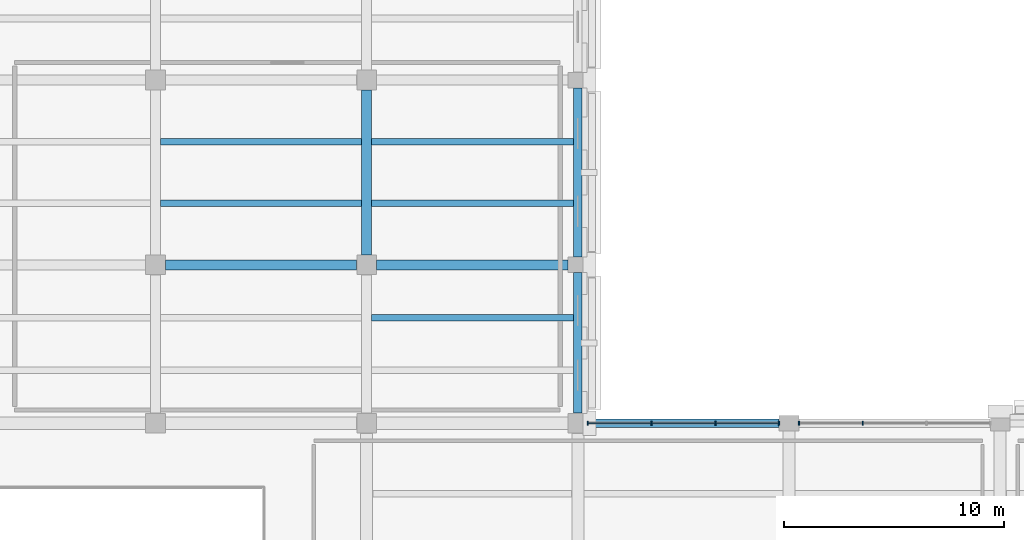
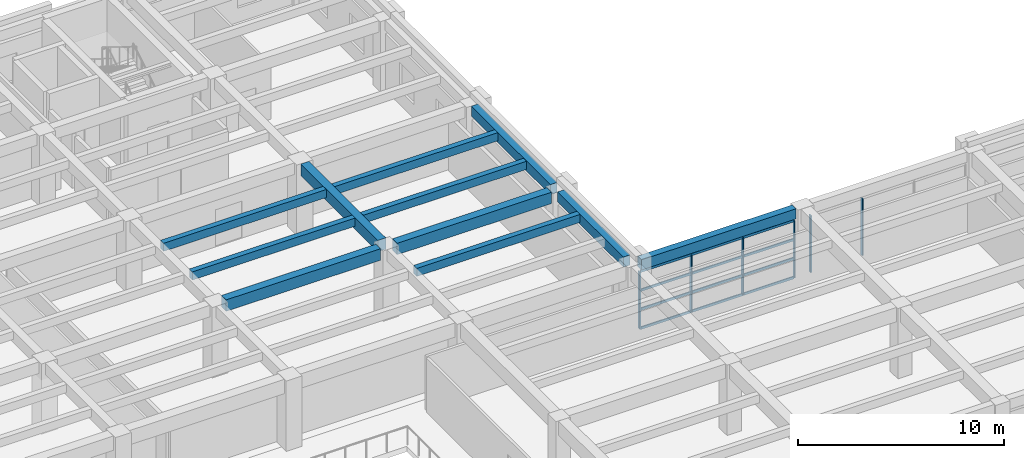
# One storey, part 18 of 49: 11 beams, 10 members, 2 elements without a shape of their own.
"""IFC4 building model written with IfcOpenShell, lengths in metres."""

import ifcopenshell
import ifcopenshell.guid

model = None  # the IFC model being written
_history = None  # IfcOwnerHistory: only IFC2X3 demands one
_inside = {}  # id of a spatial element -> (the spatial element, [elements in it])
_under = {}  # id of a project, library or spatial element -> (it, [spatial elements below it])
_declared = {}  # id of a project -> (the project, [libraries it declares])
_typed = {}  # id of a type object -> (the type object, [elements of that type])
_made_of = {}  # id of a material, layer set ... -> (it, [elements and type objects made of it])


def new_model(schema):
    """Start an empty IFC model of exactly this schema.

    Asked for "IFC4X3", IfcOpenShell would pick the latest addendum, in which some entities
    have other attributes; the version numbers below select the first issue.
    IFC2X3 requires an IfcOwnerHistory on every rooted entity: one is made here for all.
    """
    global model, _history
    if schema == "IFC4X3":
        model = ifcopenshell.file(schema_version=(4, 3, 0, 0))
    else:
        model = ifcopenshell.file(schema=schema)
    _inside.clear()
    _under.clear()
    _declared.clear()
    _typed.clear()
    _made_of.clear()
    _history = None
    if model.schema == "IFC2X3":
        org = make("IfcOrganization", Name="unknown")
        user = make(
            "IfcPersonAndOrganization",
            ThePerson=make("IfcPerson", FamilyName="unknown"),
            TheOrganization=org,
        )
        app = make(
            "IfcApplication",
            ApplicationDeveloper=org,
            Version="unknown",
            ApplicationFullName="unknown",
            ApplicationIdentifier="unknown",
        )
        _history = make(
            "IfcOwnerHistory",
            OwningUser=user,
            OwningApplication=app,
            ChangeAction="ADDED",
            CreationDate=0,
        )
    return model


def make(cls, **values):
    """One entity of the class cls with the attributes given. An attribute that is None is left unset."""
    return model.create_entity(
        cls, **{name: value for name, value in values.items() if value is not None}
    )


def rooted(cls, **values):
    """An entity with a GlobalId (a new one), such as an element, a storey or a relation."""
    return make(cls, GlobalId=ifcopenshell.guid.new(), OwnerHistory=_history, **values)


def si_unit(unit_type, name, prefix=None):
    """IfcSIUnit, for example si_unit("LENGTHUNIT", "METRE", prefix="MILLI")."""
    return make("IfcSIUnit", UnitType=unit_type, Prefix=prefix, Name=name)


def assignment(units):
    """IfcUnitAssignment: the units of a project."""
    return None if units is None else make("IfcUnitAssignment", Units=units)


def point(xyz):
    """IfcCartesianPoint."""
    return None if xyz is None else make("IfcCartesianPoint", Coordinates=xyz)


def direction(xyz):
    """IfcDirection."""
    return None if xyz is None else make("IfcDirection", DirectionRatios=xyz)


def frame(location, z_axis=None, x_axis=None):
    """IfcAxis2Placement3D, a coordinate frame: its origin and axes. An axis left out is left unset."""
    return make(
        "IfcAxis2Placement3D",
        Location=point(location),
        Axis=direction(z_axis),
        RefDirection=direction(x_axis),
    )


def frame_2d(location, x_axis=None):
    """IfcAxis2Placement2D, a coordinate frame in the plane: its origin and x axis."""
    return make(
        "IfcAxis2Placement2D", Location=point(location), RefDirection=direction(x_axis)
    )


def origin():
    """The frame at (0, 0, 0) with its axes left unset."""
    return frame((0.0, 0.0, 0.0))


def origin_2d():
    """The frame at (0, 0) in the plane with its x axis left unset."""
    return frame_2d((0.0, 0.0))


def place(relative_to, where):
    """IfcLocalPlacement: puts the frame where relative to a parent placement (None: the world)."""
    return make(
        "IfcLocalPlacement", PlacementRelTo=relative_to, RelativePlacement=where
    )


def context(
    kind, dimensions, precision=None, world=None, true_north=None, identifier=None
):
    """IfcGeometricRepresentationContext, for example the 3D "Model" context."""
    return make(
        "IfcGeometricRepresentationContext",
        ContextIdentifier=identifier,
        ContextType=kind,
        CoordinateSpaceDimension=dimensions,
        Precision=precision,
        WorldCoordinateSystem=world,
        TrueNorth=true_north,
    )


def subcontext(parent, identifier, kind, view, scale=None):
    """IfcGeometricRepresentationSubContext, for example "Body" below "Model"."""
    return make(
        "IfcGeometricRepresentationSubContext",
        ContextIdentifier=identifier,
        ContextType=kind,
        ParentContext=parent,
        TargetScale=scale,
        TargetView=view,
    )


def project(units=None, contexts=None):
    """IfcProject with its units and contexts."""
    return rooted(
        "IfcProject",
        Name="project",
        RepresentationContexts=contexts,
        UnitsInContext=assignment(units),
    )


def spatial(cls, under=None, at=None, **own):
    """A site, building, storey or space (cls), placed at a placement, below another one or the project."""
    s = rooted(cls, ObjectPlacement=at, **own)
    if under is not None:
        _under.setdefault(under.id(), (under, []))[1].append(s)
    return s


def profile(cls, at=None, kind="AREA", **sizes):
    """A parametric profile (cls). Its sizes go by their IFC names, for example OverallWidth=200.0."""
    return make(cls, ProfileType=kind, Position=at, **sizes)


def rectangle(**sizes):
    """IfcRectangleProfileDef."""
    return profile("IfcRectangleProfileDef", **sizes)


def extrude(swept, where, along, depth):
    """IfcExtrudedAreaSolid: the profile swept, set in the frame where, extruded along a direction by depth."""
    return make(
        "IfcExtrudedAreaSolid",
        SweptArea=swept,
        Position=where,
        ExtrudedDirection=direction(along),
        Depth=depth,
    )


def shape(context_of_items, identifier, shape_type, items):
    """IfcShapeRepresentation: the items that make up one representation, for example the "Body"."""
    return make(
        "IfcShapeRepresentation",
        ContextOfItems=context_of_items,
        RepresentationIdentifier=identifier,
        RepresentationType=shape_type,
        Items=items,
    )


def material(Name=None, Category=None):
    """IfcMaterial."""
    return make("IfcMaterial", Name=Name, Category=Category)


def layer(
    of_material, thickness, ventilated=None, Name=None, Category=None, Priority=None
):
    """IfcMaterialLayer: one layer of a wall or slab, of a material (None: an air gap)."""
    return make(
        "IfcMaterialLayer",
        Material=of_material,
        LayerThickness=thickness,
        IsVentilated=ventilated,
        Name=Name,
        Category=Category,
        Priority=Priority,
    )


def layer_set(layers, Name=None):
    """IfcMaterialLayerSet."""
    return make("IfcMaterialLayerSet", MaterialLayers=layers, LayerSetName=Name)


def material_profile(
    of_material, cross_section, Name=None, Category=None, Priority=None
):
    """IfcMaterialProfile: a cross section and its material."""
    return make(
        "IfcMaterialProfile",
        Name=Name,
        Material=of_material,
        Profile=cross_section,
        Priority=Priority,
        Category=Category,
    )


def profile_set(profiles, Name=None, composite=None):
    """IfcMaterialProfileSet."""
    return make(
        "IfcMaterialProfileSet",
        Name=Name,
        MaterialProfiles=profiles,
        CompositeProfile=composite,
    )


def made_of(thing, what):
    """Note that an element or type object is made of a material, layer set ...; save() writes the relation."""
    if what is not None:
        _made_of.setdefault(what.id(), (what, []))[1].append(thing)
    return thing


def type_object(cls, material=None, **own):
    """A type object (cls), such as IfcWallType, which elements share."""
    return made_of(rooted(cls, **own), material)


def element(
    cls,
    number,
    at=None,
    inside=None,
    cuts=None,
    type_object=None,
    material=None,
    context=None,
    identifier="Body",
    shape_type=None,
    held_by="IfcProductDefinitionShape",
    body=None,
    shapes=None,
    **own,
):
    """One element of the class cls, such as IfcWall. Its Tag is "e" and its number.

    at: its placement. inside: the storey or other place that contains it. cuts: it is an
    opening in that element (IfcRelVoidsElement). A single representation is given by context,
    identifier, shape_type and body (its items); several are given by shapes. held_by: the class
    of the entity that holds the representations. save() writes the other relations.
    """
    e = rooted(cls, Tag="e%d" % number, ObjectPlacement=at, **own)
    if body is not None:
        shapes = [shape(context, identifier, shape_type, body)]
    if shapes is not None:
        e.Representation = make(held_by, Representations=shapes)
    if inside is not None:
        _inside.setdefault(inside.id(), (inside, []))[1].append(e)
    if cuts is not None:
        rooted(
            "IfcRelVoidsElement", RelatingBuildingElement=cuts, RelatedOpeningElement=e
        )
    if type_object is not None:
        _typed.setdefault(type_object.id(), (type_object, []))[1].append(e)
    return made_of(e, material)


def aggregate(whole, parts):
    """IfcRelAggregates: a whole, such as a stair, and the parts it consists of."""
    return rooted("IfcRelAggregates", RelatingObject=whole, RelatedObjects=parts)


def save(model, path):
    """Write the relations noted so far, then the file.

    IfcRelAggregates (storeys below a building ...), IfcRelContainedInSpatialStructure (elements
    in a storey), IfcRelDefinesByType, IfcRelAssociatesMaterial and IfcRelDeclares: one each for
    every whole, place, type object, material and project.
    """
    for whole, parts in _under.values():
        aggregate(whole, parts)
    for where, things in _inside.values():
        rooted(
            "IfcRelContainedInSpatialStructure",
            RelatedElements=things,
            RelatingStructure=where,
        )
    for kind, things in _typed.values():
        rooted("IfcRelDefinesByType", RelatedObjects=things, RelatingType=kind)
    for what, things in _made_of.values():
        rooted("IfcRelAssociatesMaterial", RelatedObjects=things, RelatingMaterial=what)
    for by, libraries in _declared.values():
        rooted("IfcRelDeclares", RelatingContext=by, RelatedDefinitions=libraries)
    model.write(path)


model = new_model("IFC4")

# Units and contexts
model_context = context("Model", 3, precision=1e-05, world=origin(), true_north=direction((0.0, 1.0)))
body_context = subcontext(model_context, "Body", "Model", "MODEL_VIEW")
ifc_project = project(units=[si_unit("LENGTHUNIT", "METRE"), si_unit("AREAUNIT", "SQUARE_METRE"), si_unit("VOLUMEUNIT", "CUBIC_METRE"), si_unit("PLANEANGLEUNIT", "RADIAN"), si_unit("MASSUNIT", "GRAM", prefix="KILO")], contexts=[model_context])

# Site, building, storey
site_placement = place(None, origin())
site = spatial("IfcSite", under=ifc_project, at=site_placement, CompositionType="ELEMENT")
building_placement = place(site_placement, origin())
building = spatial("IfcBuilding", under=site, at=building_placement, Name="Bempovik Park Faculty of Sciences", CompositionType="ELEMENT")
storey_placement = place(building_placement, frame((0.0, 0.0, 5.39990234375)))
storey = spatial("IfcBuildingStorey", under=building, at=storey_placement, Name="L01", CompositionType="ELEMENT", Elevation=5.39990234375)

# Beams
ifc_material_1 = material(Name="Concrete C35/45", Category="concrete")
ifc_material_profile_1 = material_profile(ifc_material_1, rectangle(XDim=0.3798828125, YDim=0.60009765625, at=origin_2d()), Name="RC 380x600")
ifc_profile_set_1 = profile_set([ifc_material_profile_1], Name="Concrete C35/45")
beam_type_1 = type_object("IfcBeamType", Name="B-032 RC 380x600", PredefinedType="SPANDREL", material=ifc_profile_set_1)
beam_1_placement = place(storey_placement, frame((118.055908203125, 87.0, 3.880126953125), z_axis=(1.0, 0.0, 0.0), x_axis=(0.0, 1.0, 0.0)))
element("IfcBeam", 1, at=beam_1_placement, inside=storey, type_object=beam_type_1, Name="L01 Beam X (117.6-127.2, y=87.0)", PredefinedType="SPANDREL", context=body_context, shape_type="SweptSolid", body=[
    extrude(rectangle(XDim=0.3798828125, YDim=0.60009765625, at=origin_2d()), origin(), (0.0, 0.0, 1.0), 8.68798828125),
])
beam_2_placement = place(storey_placement, frame((117.60009765625, 87.4560546875, 3.880126953125), z_axis=(0.0, 1.0, 0.0), x_axis=(-1.0, 0.0, 0.0)))
element("IfcBeam", 2, at=beam_2_placement, inside=storey, type_object=beam_type_1, Name="L01 Beam Y (x=117.6, 87.0-94.2)", PredefinedType="SPANDREL", context=body_context, shape_type="SweptSolid", body=[
    extrude(rectangle(XDim=0.3798828125, YDim=0.60009765625, at=origin_2d()), origin(), (0.0, 0.0, 1.0), 6.387939453125),
])
beam_3_placement = place(storey_placement, frame((117.60009765625, 94.555908203125, 3.880126953125), z_axis=(0.0, 1.0, 0.0), x_axis=(-1.0, 0.0, 0.0)))
element("IfcBeam", 3, at=beam_3_placement, inside=storey, type_object=beam_type_1, Name="L01 Beam Y (x=117.6, 94.2-102.6)", PredefinedType="SPANDREL", context=body_context, shape_type="SweptSolid", body=[
    extrude(rectangle(XDim=0.3798828125, YDim=0.60009765625, at=origin_2d()), origin(), (0.0, 0.0, 1.0), 7.68798828125),
])
ifc_material_profile_2 = material_profile(ifc_material_1, rectangle(XDim=0.300048828125, YDim=0.47998046875, at=origin_2d()), Name="RC 300x480")
ifc_profile_set_2 = profile_set([ifc_material_profile_2], Name="Concrete C35/45")
beam_type_2 = type_object("IfcBeamType", Name="B-039 RC 300x480", PredefinedType="JOIST", material=ifc_profile_set_2)
for number, where, z_axis, x_axis, name in (
    (4, (98.631103515625, 97.0, 3.940185546875), (1.0, 0.0, 0.0), (0.0, 1.0, 0.0), "L01 Secondary Joist (98.4-108.0, y=97.00)"),
    (5, (98.631103515625, 99.800048828125, 3.940185546875), (1.0, 0.0, 0.0), (0.0, 1.0, 0.0), "L01 Secondary Joist (98.4-108.0, y=99.80)"),
):
    element("IfcBeam", number, at=place(storey_placement, frame(where, z_axis=z_axis, x_axis=x_axis)), inside=storey, type_object=beam_type_2, Name=name, PredefinedType="JOIST", context=body_context, shape_type="SweptSolid", body=[
        extrude(rectangle(XDim=0.300048828125, YDim=0.47998046875, at=origin_2d()), origin(), (0.0, 0.0, 1.0), 9.137939453125),
    ])
for number, where, z_axis, x_axis, name in (
    (6, (108.23095703125, 91.800048828125, 3.940185546875), (1.0, 0.0, 0.0), (0.0, 1.0, 0.0), "L01 Secondary Joist (108.0-117.6, y=91.80)"),
    (7, (108.23095703125, 97.0, 3.940185546875), (1.0, 0.0, 0.0), (0.0, 1.0, 0.0), "L01 Secondary Joist (108.0-117.6, y=97.00)"),
    (8, (108.23095703125, 99.800048828125, 3.940185546875), (1.0, 0.0, 0.0), (0.0, 1.0, 0.0), "L01 Secondary Joist (108.0-117.6, y=99.80)"),
):
    element("IfcBeam", number, at=place(storey_placement, frame(where, z_axis=z_axis, x_axis=x_axis)), inside=storey, type_object=beam_type_2, Name=name, PredefinedType="JOIST", context=body_context, shape_type="SweptSolid", body=[
        extrude(rectangle(XDim=0.300048828125, YDim=0.47998046875, at=origin_2d()), origin(), (0.0, 0.0, 1.0), 9.173095703125),
    ])
ifc_material_profile_3 = material_profile(ifc_material_1, rectangle(XDim=0.449951171875, YDim=0.679931640625, at=origin_2d()), Name="RC 450x680")
ifc_profile_set_3 = profile_set([ifc_material_profile_3], Name="Concrete C35/45")
beam_type_3 = type_object("IfcBeamType", Name="B-113 RC 450x680", PredefinedType="BEAM", material=ifc_profile_set_3)
for number, where, z_axis, x_axis, name in (
    (9, (98.85595703125, 94.199951171875, 3.840087890625), (1.0, 0.0, 0.0), (0.0, 1.0, 0.0), "L01 Beam X (98.4-108.0, y=94.2)"),
    (10, (108.4560546875, 94.199951171875, 3.840087890625), (1.0, 0.0, 0.0), (0.0, 1.0, 0.0), "L01 Beam X (108.0-117.6, y=94.2)"),
):
    element("IfcBeam", number, at=place(storey_placement, frame(where, z_axis=z_axis, x_axis=x_axis)), inside=storey, type_object=beam_type_3, Name=name, PredefinedType="BEAM", context=body_context, shape_type="SweptSolid", body=[
        extrude(rectangle(XDim=0.449951171875, YDim=0.679931640625, at=origin_2d()), origin(), (0.0, 0.0, 1.0), 8.68798828125),
    ])
beam_4_placement = place(storey_placement, frame((108.0, 94.656005859375, 3.840087890625), z_axis=(0.0, 1.0, 0.0), x_axis=(-1.0, 0.0, 0.0)))
element("IfcBeam", 11, at=beam_4_placement, inside=storey, type_object=beam_type_3, Name="L01 Beam Y (x=108.0, 94.2-102.6)", PredefinedType="BEAM", context=body_context, shape_type="SweptSolid", body=[
    extrude(rectangle(XDim=0.449951171875, YDim=0.679931640625, at=origin_2d()), origin(), (0.0, 0.0, 1.0), 7.488037109375),
])

# Curtain wall, members
ifc_material_2 = material(Name="Tempered laminated low-E glass", Category="glass")
ifc_layer = layer(ifc_material_2, 0.159912109375)
ifc_layer_set = layer_set([ifc_layer], Name="Tempered laminated low-E glass")
curtain_wall_type = type_object("IfcCurtainWallType", Name="CW-52 Curtain 6600x4100", PredefinedType="USERDEFINED", material=ifc_layer_set)
curtain_wall_1_placement = place(storey_placement, origin())
curtain_wall_1 = element("IfcCurtainWall", 12, at=curtain_wall_1_placement, inside=storey, type_object=curtain_wall_type, Name="L01 Unitised Curtain Wall (87.0,117.6)", ObjectType="UNITISED CURTAIN WALL", PredefinedType="USERDEFINED")
ifc_material_3 = material(Name="Anodised architectural bronze", Category="aluminium")
ifc_material_profile_4 = material_profile(ifc_material_3, rectangle(XDim=0.06494140625, YDim=0.169921875, at=origin_2d()), Name="ALU-M 65x170")
ifc_profile_set_4 = profile_set([ifc_material_profile_4], Name="Anodised architectural bronze")
member_type_1 = type_object("IfcMemberType", Name="ML-15 ALU-M 65x170", PredefinedType="MULLION", material=ifc_profile_set_4)
member_1_placement = place(storey_placement, frame((118.052001953125, 87.0, 0.0), z_axis=(0.0, 0.0, 1.0), x_axis=(1.0, 0.0, 0.0)))
member_1 = element("IfcMember", 13, at=member_1_placement, type_object=member_type_1, Name="CW-BAY-L01-870-1176 Mullion 0", PredefinedType="MULLION", context=body_context, shape_type="SweptSolid", body=[
    extrude(rectangle(XDim=0.06494140625, YDim=0.169921875, at=origin_2d()), origin(), (0.0, 0.0, 1.0), 3.380126953125),
])
member_2_placement = place(storey_placement, frame((120.95068359375, 87.0, 0.0), z_axis=(0.0, 0.0, 1.0), x_axis=(1.0, 0.0, 0.0)))
member_2 = element("IfcMember", 14, at=member_2_placement, type_object=member_type_1, Name="CW-BAY-L01-870-1176 Mullion 1", PredefinedType="MULLION", context=body_context, shape_type="SweptSolid", body=[
    extrude(rectangle(XDim=0.06494140625, YDim=0.169921875, at=origin_2d()), origin(), (0.0, 0.0, 1.0), 3.380126953125),
])
member_3_placement = place(storey_placement, frame((123.849365234375, 87.0, 0.0), z_axis=(0.0, 0.0, 1.0), x_axis=(1.0, 0.0, 0.0)))
member_3 = element("IfcMember", 15, at=member_3_placement, type_object=member_type_1, Name="CW-BAY-L01-870-1176 Mullion 2", PredefinedType="MULLION", context=body_context, shape_type="SweptSolid", body=[
    extrude(rectangle(XDim=0.06494140625, YDim=0.169921875, at=origin_2d()), origin(), (0.0, 0.0, 1.0), 3.380126953125),
])
member_4_placement = place(storey_placement, frame((126.748046875, 87.0, 0.0), z_axis=(0.0, 0.0, 1.0), x_axis=(1.0, 0.0, 0.0)))
member_4 = element("IfcMember", 16, at=member_4_placement, type_object=member_type_1, Name="CW-BAY-L01-870-1176 Mullion 3", PredefinedType="MULLION", context=body_context, shape_type="SweptSolid", body=[
    extrude(rectangle(XDim=0.06494140625, YDim=0.169921875, at=origin_2d()), origin(), (0.0, 0.0, 1.0), 3.380126953125),
])

curtain_wall_2_placement = place(storey_placement, origin())
curtain_wall_2 = element("IfcCurtainWall", 17, at=curtain_wall_2_placement, inside=storey, type_object=curtain_wall_type, Name="L01 Unitised Curtain Wall (87.0,127.2)", ObjectType="UNITISED CURTAIN WALL", PredefinedType="USERDEFINED")
member_5_placement = place(storey_placement, frame((127.652099609375, 87.0, 0.0), z_axis=(0.0, 0.0, 1.0), x_axis=(1.0, 0.0, 0.0)))
member_5 = element("IfcMember", 18, at=member_5_placement, type_object=member_type_1, Name="CW-BAY-L01-870-1272 Mullion 0", PredefinedType="MULLION", context=body_context, shape_type="SweptSolid", body=[
    extrude(rectangle(XDim=0.06494140625, YDim=0.169921875, at=origin_2d()), origin(), (0.0, 0.0, 1.0), 3.380126953125),
])
member_6_placement = place(storey_placement, frame((130.55078125, 87.0, 0.0), z_axis=(0.0, 0.0, 1.0), x_axis=(1.0, 0.0, 0.0)))
member_6 = element("IfcMember", 19, at=member_6_placement, type_object=member_type_1, Name="CW-BAY-L01-870-1272 Mullion 1", PredefinedType="MULLION", context=body_context, shape_type="SweptSolid", body=[
    extrude(rectangle(XDim=0.06494140625, YDim=0.169921875, at=origin_2d()), origin(), (0.0, 0.0, 1.0), 3.380126953125),
])
aggregate(curtain_wall_2, [member_5, member_6])

# Member
ifc_material_profile_5 = material_profile(ifc_material_3, rectangle(XDim=0.06494140625, YDim=0.139892578125, at=origin_2d()), Name="ALU-T 65x140")
ifc_profile_set_5 = profile_set([ifc_material_profile_5], Name="Anodised architectural bronze")
member_type_2 = type_object("IfcMemberType", Name="TR-17 ALU-T 65x140", PredefinedType="USERDEFINED", material=ifc_profile_set_5)
member_7_placement = place(storey_placement, frame((118.092041015625, 87.0, 0.0), z_axis=(1.0, 0.0, 0.0), x_axis=(0.0, 1.0, 0.0)))
member_7 = element("IfcMember", 20, at=member_7_placement, type_object=member_type_2, Name="CW-BAY-L01-870-1176 Transom 0", ObjectType="TRANSOM", PredefinedType="USERDEFINED", context=body_context, shape_type="SweptSolid", body=[
    extrude(rectangle(XDim=0.06494140625, YDim=0.139892578125, at=origin_2d()), origin(), (0.0, 0.0, 1.0), 8.615966796875),
])

member_8_placement = place(storey_placement, frame((118.092041015625, 87.0, 1.126708984375), z_axis=(1.0, 0.0, 0.0), x_axis=(0.0, 1.0, 0.0)))
member_8 = element("IfcMember", 21, at=member_8_placement, type_object=member_type_2, Name="CW-BAY-L01-870-1176 Transom 1", ObjectType="TRANSOM", PredefinedType="USERDEFINED", context=body_context, shape_type="SweptSolid", body=[
    extrude(rectangle(XDim=0.06494140625, YDim=0.139892578125, at=origin_2d()), origin(), (0.0, 0.0, 1.0), 8.615966796875),
])

member_9_placement = place(storey_placement, frame((118.092041015625, 87.0, 2.25341796875), z_axis=(1.0, 0.0, 0.0), x_axis=(0.0, 1.0, 0.0)))
member_9 = element("IfcMember", 22, at=member_9_placement, type_object=member_type_2, Name="CW-BAY-L01-870-1176 Transom 2", ObjectType="TRANSOM", PredefinedType="USERDEFINED", context=body_context, shape_type="SweptSolid", body=[
    extrude(rectangle(XDim=0.06494140625, YDim=0.139892578125, at=origin_2d()), origin(), (0.0, 0.0, 1.0), 8.615966796875),
])

member_10_placement = place(storey_placement, frame((118.092041015625, 87.0, 3.380126953125), z_axis=(1.0, 0.0, 0.0), x_axis=(0.0, 1.0, 0.0)))
member_10 = element("IfcMember", 23, at=member_10_placement, type_object=member_type_2, Name="CW-BAY-L01-870-1176 Transom 3", ObjectType="TRANSOM", PredefinedType="USERDEFINED", context=body_context, shape_type="SweptSolid", body=[
    extrude(rectangle(XDim=0.06494140625, YDim=0.139892578125, at=origin_2d()), origin(), (0.0, 0.0, 1.0), 8.615966796875),
])

aggregate(curtain_wall_1, [member_1, member_2, member_3, member_4, member_7, member_8, member_9, member_10])

save(model, "model.ifc")
